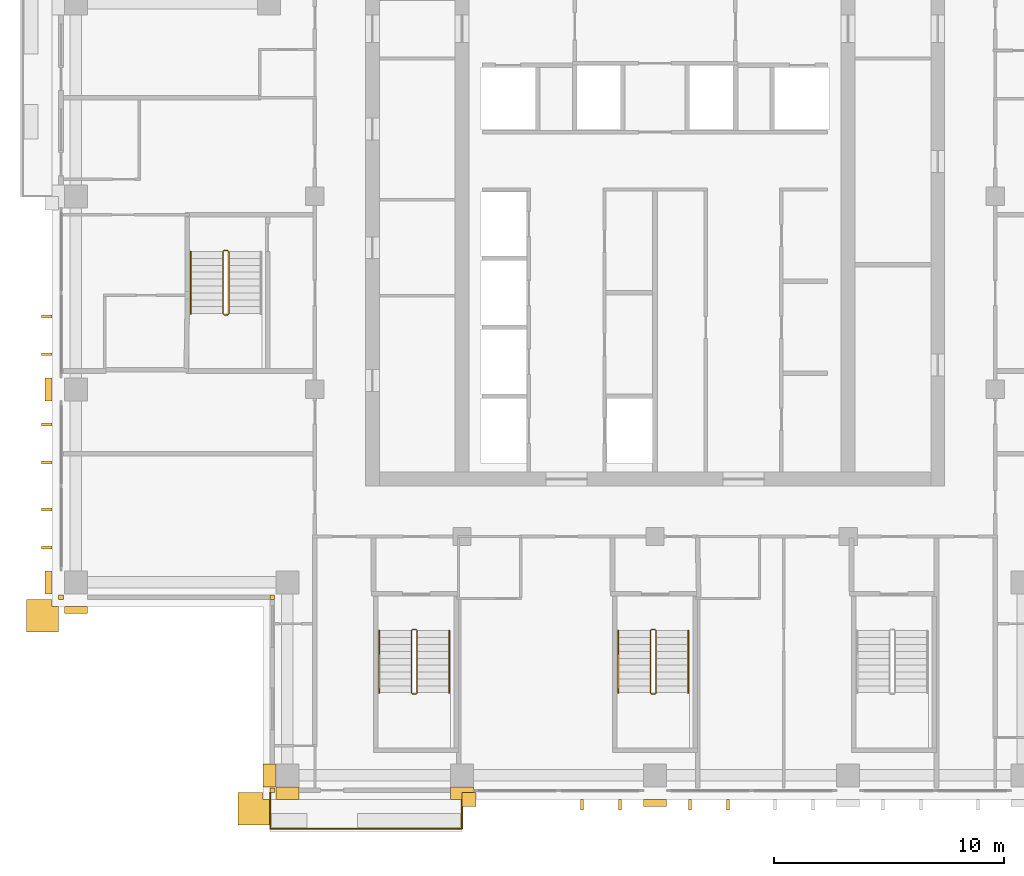
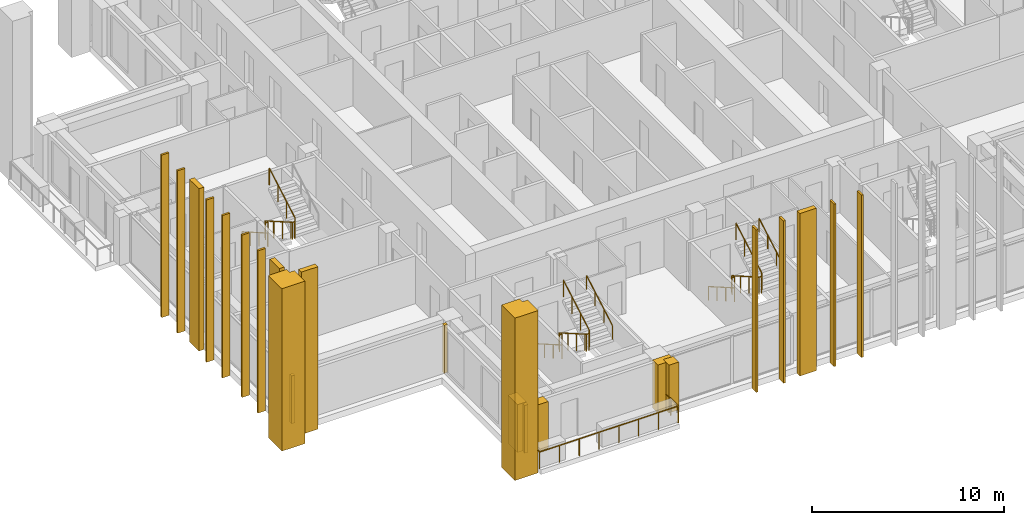
# One storey, part 14 of 17: 23 coverings, 9 railings.
"""IFC4 building model written with IfcOpenShell, lengths in metres."""

from ifc_helpers import new_model, si_unit, direction, frame, origin, origin_2d, place, context, subcontext, project, spatial, polyline, rectangle, outline, extrude, material, layer, layer_set, type_object, element, save


model = new_model("IFC4")

# Units and contexts
model_context = context("Model", 3, precision=1e-05, world=origin(), true_north=direction((0.0, 1.0)))
body_context = subcontext(model_context, "Body", "Model", "MODEL_VIEW")
ifc_project = project(units=[si_unit("LENGTHUNIT", "METRE"), si_unit("AREAUNIT", "SQUARE_METRE"), si_unit("VOLUMEUNIT", "CUBIC_METRE"), si_unit("PLANEANGLEUNIT", "RADIAN"), si_unit("MASSUNIT", "GRAM", prefix="KILO")], contexts=[model_context])

# Site, building, storey
site_placement = place(None, origin())
site = spatial("IfcSite", under=ifc_project, at=site_placement, CompositionType="ELEMENT")
building_placement = place(site_placement, origin())
building = spatial("IfcBuilding", under=site, at=building_placement, Name="Vermilion Ogive Tower", CompositionType="ELEMENT")
storey_placement = place(building_placement, frame((0.0, 0.0, 175.550048828125)))
storey = spatial("IfcBuildingStorey", under=building, at=storey_placement, Name="L45", CompositionType="ELEMENT", Elevation=175.550048828125)

# Railing
ifc_material_1 = material(Name="Stainless steel and glass", Category="steel")
railing_type_1 = type_object("IfcRailingType", Name="Balcony guard", PredefinedType="GUARDRAIL", material=ifc_material_1)
railing_1_placement = place(storey_placement, frame((-16.75, -21.75, -0.0400390625)))
element("IfcRailing", 1, at=railing_1_placement, inside=storey, type_object=railing_type_1, Name="Guard S01", PredefinedType="GUARDRAIL", context=body_context, shape_type="SweptSolid", body=[
    extrude(rectangle(XDim=0.048095703125, YDim=0.048095703125, at=origin_2d()), frame((0.0, 0.0, 1.076171875), z_axis=(0.0, -1.0, 0.0), x_axis=(1.0, 0.0, 0.0)), (0.0, 0.0, 1.0), 1.56396484375),
    extrude(rectangle(XDim=0.048095703125, YDim=0.048095703125, at=origin_2d()), frame((0.0, -1.56396484375, 1.076171875), z_axis=(1.0, 0.0, 0.0), x_axis=(0.0, 1.0, 0.0)), (0.0, 0.0, 1.0), 8.35009765625),
    extrude(rectangle(XDim=0.048095703125, YDim=0.048095703125, at=origin_2d()), frame((8.35009765625, -1.56396484375, 1.076171875), z_axis=(0.0, 1.0, 0.0), x_axis=(-1.0, 0.0, 0.0)), (0.0, 0.0, 1.0), 1.56396484375),
    extrude(rectangle(XDim=0.0419921875, YDim=0.0419921875, at=origin_2d()), origin(), (0.0, 0.0, 1.0), 1.052001953125),
    extrude(rectangle(XDim=0.0419921875, YDim=0.0419921875, at=origin_2d()), frame((0.0, -0.781982421875, 0.0)), (0.0, 0.0, 1.0), 1.052001953125),
    extrude(rectangle(XDim=0.0419921875, YDim=0.0419921875, at=origin_2d()), frame((0.0, -1.56396484375, 0.0)), (0.0, 0.0, 1.0), 1.052001953125),
    extrude(rectangle(XDim=0.0419921875, YDim=0.0419921875, at=origin_2d()), frame((1.19287109375, -1.56396484375, 0.0)), (0.0, 0.0, 1.0), 1.052001953125),
    extrude(rectangle(XDim=0.0419921875, YDim=0.0419921875, at=origin_2d()), frame((2.3857421875, -1.56396484375, 0.0)), (0.0, 0.0, 1.0), 1.052001953125),
    extrude(rectangle(XDim=0.0419921875, YDim=0.0419921875, at=origin_2d()), frame((3.57861328125, -1.56396484375, 0.0)), (0.0, 0.0, 1.0), 1.052001953125),
    extrude(rectangle(XDim=0.0419921875, YDim=0.0419921875, at=origin_2d()), frame((4.771484375, -1.56396484375, 0.0)), (0.0, 0.0, 1.0), 1.052001953125),
    extrude(rectangle(XDim=0.0419921875, YDim=0.0419921875, at=origin_2d()), frame((5.96435546875, -1.56396484375, 0.0)), (0.0, 0.0, 1.0), 1.052001953125),
    extrude(rectangle(XDim=0.0419921875, YDim=0.0419921875, at=origin_2d()), frame((7.1572265625, -1.56396484375, 0.0)), (0.0, 0.0, 1.0), 1.052001953125),
    extrude(rectangle(XDim=0.0419921875, YDim=0.0419921875, at=origin_2d()), frame((8.35009765625, -1.56396484375, 0.0)), (0.0, 0.0, 1.0), 1.052001953125),
    extrude(rectangle(XDim=0.0419921875, YDim=0.0419921875, at=origin_2d()), frame((8.35009765625, -0.781982421875, 0.0)), (0.0, 0.0, 1.0), 1.052001953125),
    extrude(rectangle(XDim=0.0419921875, YDim=0.0419921875, at=origin_2d()), frame((8.35009765625, 0.0, 0.0)), (0.0, 0.0, 1.0), 1.052001953125),
])

# Coverings
ifc_material_2 = material(Name="Glazed ceramic screen")
ifc_layer = layer(ifc_material_2, 0.14990234375)
ifc_layer_set = layer_set([ifc_layer], Name="Ceramic solar screen fin")
covering_type_1 = type_object("IfcCoveringType", Name="Ceramic solar screen fin", PredefinedType="CLADDING", material=ifc_layer_set)
covering_1_placement = place(storey_placement, frame((0.0, 0.0, -0.400146484375)))
element("IfcCovering", 2, at=covering_1_placement, inside=storey, type_object=covering_type_1, Name="Solar screen blade S991", PredefinedType="CLADDING", context=body_context, shape_type="SweptSolid", body=[
    extrude(outline(polyline([(-3.235107421875, -22.5), (-3.114990234375, -22.5), (-3.114990234375, -22.050048828125), (-3.235107421875, -22.050048828125), (-3.235107421875, -22.5)])), origin(), (0.0, 0.0, 1.0), 10.35009765625),
])
covering_2_placement = place(storey_placement, frame((0.0, 0.0, -0.400146484375)))
element("IfcCovering", 3, at=covering_2_placement, inside=storey, type_object=covering_type_1, Name="Solar screen blade S992", PredefinedType="CLADDING", context=body_context, shape_type="SweptSolid", body=[
    extrude(outline(polyline([(-1.5849609375, -22.5), (-1.465087890625, -22.5), (-1.465087890625, -22.050048828125), (-1.5849609375, -22.050048828125), (-1.5849609375, -22.5)])), origin(), (0.0, 0.0, 1.0), 10.35009765625),
])
covering_3_placement = place(storey_placement, frame((0.0, 0.0, -0.400146484375)))
element("IfcCovering", 4, at=covering_3_placement, inside=storey, type_object=covering_type_1, Name="Solar screen blade S001", PredefinedType="CLADDING", context=body_context, shape_type="SweptSolid", body=[
    extrude(outline(polyline([(1.465087890625, -22.5), (1.5849609375, -22.5), (1.5849609375, -22.050048828125), (1.465087890625, -22.050048828125), (1.465087890625, -22.5)])), origin(), (0.0, 0.0, 1.0), 10.35009765625),
])
covering_4_placement = place(storey_placement, frame((0.0, 0.0, -0.400146484375)))
element("IfcCovering", 5, at=covering_4_placement, inside=storey, type_object=covering_type_1, Name="Solar screen blade S002", PredefinedType="CLADDING", context=body_context, shape_type="SweptSolid", body=[
    extrude(outline(polyline([(3.114990234375, -22.5), (3.235107421875, -22.5), (3.235107421875, -22.050048828125), (3.114990234375, -22.050048828125), (3.114990234375, -22.5)])), origin(), (0.0, 0.0, 1.0), 10.35009765625),
])
covering_5_placement = place(storey_placement, frame((0.0, 0.0, -0.400146484375)))
element("IfcCovering", 6, at=covering_5_placement, inside=storey, type_object=covering_type_1, Name="Solar screen blade W991", PredefinedType="CLADDING", context=body_context, shape_type="SweptSolid", body=[
    extrude(outline(polyline([(-26.699951171875, -0.965087890625), (-26.699951171875, -1.0849609375), (-26.25, -1.0849609375), (-26.25, -0.965087890625), (-26.699951171875, -0.965087890625)])), origin(), (0.0, 0.0, 1.0), 10.35009765625),
])
covering_6_placement = place(storey_placement, frame((0.0, 0.0, -0.400146484375)))
element("IfcCovering", 7, at=covering_6_placement, inside=storey, type_object=covering_type_1, Name="Solar screen blade W992", PredefinedType="CLADDING", context=body_context, shape_type="SweptSolid", body=[
    extrude(outline(polyline([(-26.699951171875, -2.614990234375), (-26.699951171875, -2.735107421875), (-26.25, -2.735107421875), (-26.25, -2.614990234375), (-26.699951171875, -2.614990234375)])), origin(), (0.0, 0.0, 1.0), 10.35009765625),
])
covering_7_placement = place(storey_placement, frame((0.0, 0.0, -0.400146484375)))
element("IfcCovering", 8, at=covering_7_placement, inside=storey, type_object=covering_type_1, Name="Solar screen blade W971", PredefinedType="CLADDING", context=body_context, shape_type="SweptSolid", body=[
    extrude(outline(polyline([(-26.699951171875, -9.364990234375), (-26.699951171875, -9.485107421875), (-26.25, -9.485107421875), (-26.25, -9.364990234375), (-26.699951171875, -9.364990234375)])), origin(), (0.0, 0.0, 1.0), 10.35009765625),
])
covering_8_placement = place(storey_placement, frame((0.0, 0.0, -0.400146484375)))
element("IfcCovering", 9, at=covering_8_placement, inside=storey, type_object=covering_type_1, Name="Solar screen blade W972", PredefinedType="CLADDING", context=body_context, shape_type="SweptSolid", body=[
    extrude(outline(polyline([(-26.699951171875, -11.014892578125), (-26.699951171875, -11.135009765625), (-26.25, -11.135009765625), (-26.25, -11.014892578125), (-26.699951171875, -11.014892578125)])), origin(), (0.0, 0.0, 1.0), 10.35009765625),
])
covering_9_placement = place(storey_placement, frame((0.0, 0.0, -0.400146484375)))
element("IfcCovering", 10, at=covering_9_placement, inside=storey, type_object=covering_type_1, Name="Solar screen blade W981", PredefinedType="CLADDING", context=body_context, shape_type="SweptSolid", body=[
    extrude(outline(polyline([(-26.699951171875, -5.6650390625), (-26.699951171875, -5.784912109375), (-26.25, -5.784912109375), (-26.25, -5.6650390625), (-26.699951171875, -5.6650390625)])), origin(), (0.0, 0.0, 1.0), 10.35009765625),
])
covering_10_placement = place(storey_placement, frame((0.0, 0.0, -0.400146484375)))
element("IfcCovering", 11, at=covering_10_placement, inside=storey, type_object=covering_type_1, Name="Solar screen blade W982", PredefinedType="CLADDING", context=body_context, shape_type="SweptSolid", body=[
    extrude(outline(polyline([(-26.699951171875, -7.31494140625), (-26.699951171875, -7.43505859375), (-26.25, -7.43505859375), (-26.25, -7.31494140625), (-26.699951171875, -7.31494140625)])), origin(), (0.0, 0.0, 1.0), 10.35009765625),
])

# Railings
ifc_material_3 = material(Name="Steel S355 painted", Category="steel")
railing_type_2 = type_object("IfcRailingType", Name="Stair guard 1100", PredefinedType="GUARDRAIL", material=ifc_material_3)
railing_2_placement = place(storey_placement, frame((-10.39990234375, -14.64990234375, 0.0)))
element("IfcRailing", 12, at=railing_2_placement, inside=storey, type_object=railing_type_2, Name="L45 ST3 stair guard 4", PredefinedType="GUARDRAIL", context=body_context, shape_type="SweptSolid", body=[
    extrude(rectangle(XDim=0.048095703125, YDim=0.048095703125, at=origin_2d()), frame((0.0, 0.0, 1.076171875), z_axis=(-1.0, 0.0, 0.0), x_axis=(0.0, -1.0, 0.0)), (0.0, 0.0, 1.0), 0.150146484375),
    extrude(rectangle(XDim=0.048095703125, YDim=0.048095703125, at=origin_2d()), frame((-0.150146484375, 0.0, 1.076171875), z_axis=(-0.268603158521, -0.268603158521, 0.925043072762), x_axis=(0.707106781187, -0.707106781187, 0.0)), (0.0, 0.0, 1.0), 0.186279296875),
    extrude(rectangle(XDim=0.048095703125, YDim=0.048095703125, at=origin_2d()), frame((-0.2001953125, -0.050048828125, 1.24853515625), z_axis=(0.0, -0.866903762492, 0.498475542607), x_axis=(1.0, 0.0, 0.0)), (0.0, 0.0, 1.0), 3.114501953125),
    extrude(rectangle(XDim=0.048095703125, YDim=0.048095703125, at=origin_2d()), frame((-0.2001953125, -2.75, 2.80078125), z_axis=(0.707106781187, -0.707106781187, 0.0), x_axis=(0.707106781187, 0.707106781187, 0.0)), (0.0, 0.0, 1.0), 0.07080078125),
    extrude(rectangle(XDim=0.048095703125, YDim=0.048095703125, at=origin_2d()), frame((-0.150146484375, -2.800048828125, 2.80078125), z_axis=(1.0, 0.0, 0.0), x_axis=(0.0, 1.0, 0.0)), (0.0, 0.0, 1.0), 0.150146484375),
    extrude(rectangle(XDim=0.048095703125, YDim=0.048095703125, at=origin_2d()), frame((0.0, -2.800048828125, 2.80078125), z_axis=(0.267062837333, 0.268371968888, 0.925556009775), x_axis=(-0.708833529934, 0.705375805398, 0.0)), (0.0, 0.0, 1.0), 0.1865234375),
    extrude(rectangle(XDim=0.048095703125, YDim=0.048095703125, at=origin_2d()), frame((0.0498046875, -2.75, 2.9736328125), z_axis=(0.0, 0.866903762492, 0.498475542607), x_axis=(-1.0, 0.0, 0.0)), (0.0, 0.0, 1.0), 3.114501953125),
    extrude(rectangle(XDim=0.0419921875, YDim=0.0419921875, at=origin_2d()), origin(), (0.0, 0.0, 1.0), 1.052001953125),
    extrude(rectangle(XDim=0.0419921875, YDim=0.0419921875, at=origin_2d()), frame((-0.150146484375, 0.0, 0.0)), (0.0, 0.0, 1.0), 1.052001953125),
    extrude(rectangle(XDim=0.0419921875, YDim=0.0419921875, at=origin_2d()), frame((-0.2001953125, -0.050048828125, 0.17236328125)), (0.0, 0.0, 1.0), 1.052001953125),
    extrude(rectangle(XDim=0.0419921875, YDim=0.0419921875, at=origin_2d()), frame((-0.2001953125, -0.949951171875, 0.68994140625)), (0.0, 0.0, 1.0), 1.052001953125),
    extrude(rectangle(XDim=0.0419921875, YDim=0.0419921875, at=origin_2d()), frame((-0.2001953125, -1.85009765625, 1.207275390625)), (0.0, 0.0, 1.0), 1.052001953125),
    extrude(rectangle(XDim=0.0419921875, YDim=0.0419921875, at=origin_2d()), frame((-0.2001953125, -2.75, 1.724853515625)), (0.0, 0.0, 1.0), 1.052001953125),
    extrude(rectangle(XDim=0.0419921875, YDim=0.0419921875, at=origin_2d()), frame((-0.150146484375, -2.800048828125, 1.724853515625)), (0.0, 0.0, 1.0), 1.052001953125),
    extrude(rectangle(XDim=0.0419921875, YDim=0.0419921875, at=origin_2d()), frame((0.0, -2.800048828125, 1.724853515625)), (0.0, 0.0, 1.0), 1.052001953125),
    extrude(rectangle(XDim=0.0419921875, YDim=0.0419921875, at=origin_2d()), frame((0.0498046875, -2.75, 1.8974609375)), (0.0, 0.0, 1.0), 1.052001953125),
    extrude(rectangle(XDim=0.0419921875, YDim=0.0419921875, at=origin_2d()), frame((0.0498046875, -1.85009765625, 2.4150390625)), (0.0, 0.0, 1.0), 1.052001953125),
    extrude(rectangle(XDim=0.0419921875, YDim=0.0419921875, at=origin_2d()), frame((0.0498046875, -0.949951171875, 2.932373046875)), (0.0, 0.0, 1.0), 1.052001953125),
    extrude(rectangle(XDim=0.0419921875, YDim=0.0419921875, at=origin_2d()), frame((0.0498046875, -0.050048828125, 3.449951171875)), (0.0, 0.0, 1.0), 1.052001953125),
])
railing_3_placement = place(storey_placement, frame((0.0, -14.64990234375, 0.0)))
element("IfcRailing", 13, at=railing_3_placement, inside=storey, type_object=railing_type_2, Name="L45 ST4 stair guard 4", PredefinedType="GUARDRAIL", context=body_context, shape_type="SweptSolid", body=[
    extrude(rectangle(XDim=0.048095703125, YDim=0.048095703125, at=origin_2d()), frame((0.0, 0.0, 1.076171875), z_axis=(-1.0, 0.0, 0.0), x_axis=(0.0, -1.0, 0.0)), (0.0, 0.0, 1.0), 0.14990234375),
    extrude(rectangle(XDim=0.048095703125, YDim=0.048095703125, at=origin_2d()), frame((-0.14990234375, 0.0, 1.076171875), z_axis=(-0.268603158521, -0.268603158521, 0.925043072762), x_axis=(0.707106781187, -0.707106781187, 0.0)), (0.0, 0.0, 1.0), 0.186279296875),
    extrude(rectangle(XDim=0.048095703125, YDim=0.048095703125, at=origin_2d()), frame((-0.199951171875, -0.050048828125, 1.24853515625), z_axis=(0.0, -0.866903762492, 0.498475542607), x_axis=(1.0, 0.0, 0.0)), (0.0, 0.0, 1.0), 3.114501953125),
    extrude(rectangle(XDim=0.048095703125, YDim=0.048095703125, at=origin_2d()), frame((-0.199951171875, -2.75, 2.80078125), z_axis=(0.707106781187, -0.707106781187, 0.0), x_axis=(0.707106781187, 0.707106781187, 0.0)), (0.0, 0.0, 1.0), 0.07080078125),
    extrude(rectangle(XDim=0.048095703125, YDim=0.048095703125, at=origin_2d()), frame((-0.14990234375, -2.800048828125, 2.80078125), z_axis=(1.0, 0.0, 0.0), x_axis=(0.0, 1.0, 0.0)), (0.0, 0.0, 1.0), 0.14990234375),
    extrude(rectangle(XDim=0.048095703125, YDim=0.048095703125, at=origin_2d()), frame((0.0, -2.800048828125, 2.80078125), z_axis=(0.268277960024, 0.268277960024, 0.925231793839), x_axis=(-0.707106781187, 0.707106781187, 0.0)), (0.0, 0.0, 1.0), 0.1865234375),
    extrude(rectangle(XDim=0.048095703125, YDim=0.048095703125, at=origin_2d()), frame((0.050048828125, -2.75, 2.9736328125), z_axis=(0.0, 0.866903762492, 0.498475542607), x_axis=(-1.0, 0.0, 0.0)), (0.0, 0.0, 1.0), 3.114501953125),
    extrude(rectangle(XDim=0.0419921875, YDim=0.0419921875, at=origin_2d()), origin(), (0.0, 0.0, 1.0), 1.052001953125),
    extrude(rectangle(XDim=0.0419921875, YDim=0.0419921875, at=origin_2d()), frame((-0.14990234375, 0.0, 0.0)), (0.0, 0.0, 1.0), 1.052001953125),
    extrude(rectangle(XDim=0.0419921875, YDim=0.0419921875, at=origin_2d()), frame((-0.199951171875, -0.050048828125, 0.17236328125)), (0.0, 0.0, 1.0), 1.052001953125),
    extrude(rectangle(XDim=0.0419921875, YDim=0.0419921875, at=origin_2d()), frame((-0.199951171875, -0.949951171875, 0.68994140625)), (0.0, 0.0, 1.0), 1.052001953125),
    extrude(rectangle(XDim=0.0419921875, YDim=0.0419921875, at=origin_2d()), frame((-0.199951171875, -1.85009765625, 1.207275390625)), (0.0, 0.0, 1.0), 1.052001953125),
    extrude(rectangle(XDim=0.0419921875, YDim=0.0419921875, at=origin_2d()), frame((-0.199951171875, -2.75, 1.724853515625)), (0.0, 0.0, 1.0), 1.052001953125),
    extrude(rectangle(XDim=0.0419921875, YDim=0.0419921875, at=origin_2d()), frame((-0.14990234375, -2.800048828125, 1.724853515625)), (0.0, 0.0, 1.0), 1.052001953125),
    extrude(rectangle(XDim=0.0419921875, YDim=0.0419921875, at=origin_2d()), frame((0.0, -2.800048828125, 1.724853515625)), (0.0, 0.0, 1.0), 1.052001953125),
    extrude(rectangle(XDim=0.0419921875, YDim=0.0419921875, at=origin_2d()), frame((0.050048828125, -2.75, 1.8974609375)), (0.0, 0.0, 1.0), 1.052001953125),
    extrude(rectangle(XDim=0.0419921875, YDim=0.0419921875, at=origin_2d()), frame((0.050048828125, -1.85009765625, 2.4150390625)), (0.0, 0.0, 1.0), 1.052001953125),
    extrude(rectangle(XDim=0.0419921875, YDim=0.0419921875, at=origin_2d()), frame((0.050048828125, -0.949951171875, 2.932373046875)), (0.0, 0.0, 1.0), 1.052001953125),
    extrude(rectangle(XDim=0.0419921875, YDim=0.0419921875, at=origin_2d()), frame((0.050048828125, -0.050048828125, 3.449951171875)), (0.0, 0.0, 1.0), 1.052001953125),
])
railing_4_placement = place(storey_placement, frame((-18.60009765625, 1.85009765625, 0.0)))
element("IfcRailing", 14, at=railing_4_placement, inside=storey, type_object=railing_type_2, Name="L45 ST9 stair guard 4", PredefinedType="GUARDRAIL", context=body_context, shape_type="SweptSolid", body=[
    extrude(rectangle(XDim=0.048095703125, YDim=0.048095703125, at=origin_2d()), frame((0.0, 0.0, 1.076171875), z_axis=(-1.0, 0.0, 0.0), x_axis=(0.0, -1.0, 0.0)), (0.0, 0.0, 1.0), 0.14990234375),
    extrude(rectangle(XDim=0.048095703125, YDim=0.048095703125, at=origin_2d()), frame((-0.14990234375, 0.0, 1.076171875), z_axis=(-0.268603158521, -0.268603158521, 0.925043072762), x_axis=(0.707106781187, -0.707106781187, 0.0)), (0.0, 0.0, 1.0), 0.186279296875),
    extrude(rectangle(XDim=0.048095703125, YDim=0.048095703125, at=origin_2d()), frame((-0.199951171875, -0.050048828125, 1.24853515625), z_axis=(0.0, -0.866903762492, 0.498475542607), x_axis=(1.0, 0.0, 0.0)), (0.0, 0.0, 1.0), 3.114501953125),
    extrude(rectangle(XDim=0.048095703125, YDim=0.048095703125, at=origin_2d()), frame((-0.199951171875, -2.75, 2.80078125), z_axis=(0.707106781187, -0.707106781187, 0.0), x_axis=(0.707106781187, 0.707106781187, 0.0)), (0.0, 0.0, 1.0), 0.07080078125),
    extrude(rectangle(XDim=0.048095703125, YDim=0.048095703125, at=origin_2d()), frame((-0.14990234375, -2.800048828125, 2.80078125), z_axis=(1.0, 0.0, 0.0), x_axis=(0.0, 1.0, 0.0)), (0.0, 0.0, 1.0), 0.14990234375),
    extrude(rectangle(XDim=0.048095703125, YDim=0.048095703125, at=origin_2d()), frame((0.0, -2.800048828125, 2.80078125), z_axis=(0.268277960024, 0.268277960024, 0.925231793839), x_axis=(-0.707106781187, 0.707106781187, 0.0)), (0.0, 0.0, 1.0), 0.1865234375),
    extrude(rectangle(XDim=0.048095703125, YDim=0.048095703125, at=origin_2d()), frame((0.050048828125, -2.75, 2.9736328125), z_axis=(0.0, 0.866903762492, 0.498475542607), x_axis=(-1.0, 0.0, 0.0)), (0.0, 0.0, 1.0), 3.114501953125),
    extrude(rectangle(XDim=0.0419921875, YDim=0.0419921875, at=origin_2d()), origin(), (0.0, 0.0, 1.0), 1.052001953125),
    extrude(rectangle(XDim=0.0419921875, YDim=0.0419921875, at=origin_2d()), frame((-0.14990234375, 0.0, 0.0)), (0.0, 0.0, 1.0), 1.052001953125),
    extrude(rectangle(XDim=0.0419921875, YDim=0.0419921875, at=origin_2d()), frame((-0.199951171875, -0.050048828125, 0.17236328125)), (0.0, 0.0, 1.0), 1.052001953125),
    extrude(rectangle(XDim=0.0419921875, YDim=0.0419921875, at=origin_2d()), frame((-0.199951171875, -0.949951171875, 0.68994140625)), (0.0, 0.0, 1.0), 1.052001953125),
    extrude(rectangle(XDim=0.0419921875, YDim=0.0419921875, at=origin_2d()), frame((-0.199951171875, -1.85009765625, 1.207275390625)), (0.0, 0.0, 1.0), 1.052001953125),
    extrude(rectangle(XDim=0.0419921875, YDim=0.0419921875, at=origin_2d()), frame((-0.199951171875, -2.75, 1.724853515625)), (0.0, 0.0, 1.0), 1.052001953125),
    extrude(rectangle(XDim=0.0419921875, YDim=0.0419921875, at=origin_2d()), frame((-0.14990234375, -2.800048828125, 1.724853515625)), (0.0, 0.0, 1.0), 1.052001953125),
    extrude(rectangle(XDim=0.0419921875, YDim=0.0419921875, at=origin_2d()), frame((0.0, -2.800048828125, 1.724853515625)), (0.0, 0.0, 1.0), 1.052001953125),
    extrude(rectangle(XDim=0.0419921875, YDim=0.0419921875, at=origin_2d()), frame((0.050048828125, -2.75, 1.8974609375)), (0.0, 0.0, 1.0), 1.052001953125),
    extrude(rectangle(XDim=0.0419921875, YDim=0.0419921875, at=origin_2d()), frame((0.050048828125, -1.85009765625, 2.4150390625)), (0.0, 0.0, 1.0), 1.052001953125),
    extrude(rectangle(XDim=0.0419921875, YDim=0.0419921875, at=origin_2d()), frame((0.050048828125, -0.949951171875, 2.932373046875)), (0.0, 0.0, 1.0), 1.052001953125),
    extrude(rectangle(XDim=0.0419921875, YDim=0.0419921875, at=origin_2d()), frame((0.050048828125, -0.050048828125, 3.449951171875)), (0.0, 0.0, 1.0), 1.052001953125),
])
ifc_material_4 = material(Name="Stainless steel", Category="steel")
railing_type_3 = type_object("IfcRailingType", Name="Stair handrail 900", PredefinedType="HANDRAIL", material=ifc_material_4)
railing_5_placement = place(storey_placement, frame((-12.0, -14.699951171875, 0.17236328125)))
element("IfcRailing", 15, at=railing_5_placement, inside=storey, type_object=railing_type_3, Name="L45 ST3 stair handrail 1", PredefinedType="HANDRAIL", context=body_context, shape_type="SweptSolid", body=[
    extrude(rectangle(XDim=0.048095703125, YDim=0.048095703125, at=origin_2d()), frame((0.0, 0.0, 0.8759765625), z_axis=(0.0, -0.866903762492, 0.498475542607), x_axis=(1.0, 0.0, 0.0)), (0.0, 0.0, 1.0), 3.114501953125),
    extrude(rectangle(XDim=0.0419921875, YDim=0.0419921875, at=origin_2d()), origin(), (0.0, 0.0, 1.0), 0.851806640625),
    extrude(rectangle(XDim=0.0419921875, YDim=0.0419921875, at=origin_2d()), frame((0.0, -0.89990234375, 0.517578125)), (0.0, 0.0, 1.0), 0.851806640625),
    extrude(rectangle(XDim=0.0419921875, YDim=0.0419921875, at=origin_2d()), frame((0.0, -1.800048828125, 1.034912109375)), (0.0, 0.0, 1.0), 0.851806640625),
    extrude(rectangle(XDim=0.0419921875, YDim=0.0419921875, at=origin_2d()), frame((0.0, -2.699951171875, 1.552490234375)), (0.0, 0.0, 1.0), 0.851806640625),
])
railing_6_placement = place(storey_placement, frame((-8.949951171875, -17.39990234375, 1.8974609375)))
element("IfcRailing", 16, at=railing_6_placement, inside=storey, type_object=railing_type_3, Name="L45 ST3 stair handrail 2", PredefinedType="HANDRAIL", context=body_context, shape_type="SweptSolid", body=[
    extrude(rectangle(XDim=0.048095703125, YDim=0.048095703125, at=origin_2d()), frame((0.0, 0.0, 0.8759765625), z_axis=(0.0, 0.866903762492, 0.498475542607), x_axis=(-1.0, 0.0, 0.0)), (0.0, 0.0, 1.0), 3.114501953125),
    extrude(rectangle(XDim=0.0419921875, YDim=0.0419921875, at=origin_2d()), origin(), (0.0, 0.0, 1.0), 0.851806640625),
    extrude(rectangle(XDim=0.0419921875, YDim=0.0419921875, at=origin_2d()), frame((0.0, 0.89990234375, 0.517578125)), (0.0, 0.0, 1.0), 0.851806640625),
    extrude(rectangle(XDim=0.0419921875, YDim=0.0419921875, at=origin_2d()), frame((0.0, 1.800048828125, 1.034912109375)), (0.0, 0.0, 1.0), 0.851806640625),
    extrude(rectangle(XDim=0.0419921875, YDim=0.0419921875, at=origin_2d()), frame((0.0, 2.699951171875, 1.552490234375)), (0.0, 0.0, 1.0), 0.851806640625),
])
railing_7_placement = place(storey_placement, frame((-1.60009765625, -14.699951171875, 0.17236328125)))
element("IfcRailing", 17, at=railing_7_placement, inside=storey, type_object=railing_type_3, Name="L45 ST4 stair handrail 1", PredefinedType="HANDRAIL", context=body_context, shape_type="SweptSolid", body=[
    extrude(rectangle(XDim=0.048095703125, YDim=0.048095703125, at=origin_2d()), frame((0.0, 0.0, 0.8759765625), z_axis=(0.0, -0.866903762492, 0.498475542607), x_axis=(1.0, 0.0, 0.0)), (0.0, 0.0, 1.0), 3.114501953125),
    extrude(rectangle(XDim=0.0419921875, YDim=0.0419921875, at=origin_2d()), origin(), (0.0, 0.0, 1.0), 0.851806640625),
    extrude(rectangle(XDim=0.0419921875, YDim=0.0419921875, at=origin_2d()), frame((0.0, -0.89990234375, 0.517578125)), (0.0, 0.0, 1.0), 0.851806640625),
    extrude(rectangle(XDim=0.0419921875, YDim=0.0419921875, at=origin_2d()), frame((0.0, -1.800048828125, 1.034912109375)), (0.0, 0.0, 1.0), 0.851806640625),
    extrude(rectangle(XDim=0.0419921875, YDim=0.0419921875, at=origin_2d()), frame((0.0, -2.699951171875, 1.552490234375)), (0.0, 0.0, 1.0), 0.851806640625),
])
railing_8_placement = place(storey_placement, frame((1.449951171875, -17.39990234375, 1.8974609375)))
element("IfcRailing", 18, at=railing_8_placement, inside=storey, type_object=railing_type_3, Name="L45 ST4 stair handrail 2", PredefinedType="HANDRAIL", context=body_context, shape_type="SweptSolid", body=[
    extrude(rectangle(XDim=0.048095703125, YDim=0.048095703125, at=origin_2d()), frame((0.0, 0.0, 0.8759765625), z_axis=(0.0, 0.866903762492, 0.498475542607), x_axis=(-1.0, 0.0, 0.0)), (0.0, 0.0, 1.0), 3.114501953125),
    extrude(rectangle(XDim=0.0419921875, YDim=0.0419921875, at=origin_2d()), origin(), (0.0, 0.0, 1.0), 0.851806640625),
    extrude(rectangle(XDim=0.0419921875, YDim=0.0419921875, at=origin_2d()), frame((0.0, 0.89990234375, 0.517578125)), (0.0, 0.0, 1.0), 0.851806640625),
    extrude(rectangle(XDim=0.0419921875, YDim=0.0419921875, at=origin_2d()), frame((0.0, 1.800048828125, 1.034912109375)), (0.0, 0.0, 1.0), 0.851806640625),
    extrude(rectangle(XDim=0.0419921875, YDim=0.0419921875, at=origin_2d()), frame((0.0, 2.699951171875, 1.552490234375)), (0.0, 0.0, 1.0), 0.851806640625),
])
railing_9_placement = place(storey_placement, frame((-20.199951171875, 1.800048828125, 0.17236328125)))
element("IfcRailing", 19, at=railing_9_placement, inside=storey, type_object=railing_type_3, Name="L45 ST9 stair handrail 1", PredefinedType="HANDRAIL", context=body_context, shape_type="SweptSolid", body=[
    extrude(rectangle(XDim=0.048095703125, YDim=0.048095703125, at=origin_2d()), frame((0.0, 0.0, 0.8759765625), z_axis=(0.0, -0.866903762492, 0.498475542607), x_axis=(1.0, 0.0, 0.0)), (0.0, 0.0, 1.0), 3.114501953125),
    extrude(rectangle(XDim=0.0419921875, YDim=0.0419921875, at=origin_2d()), origin(), (0.0, 0.0, 1.0), 0.851806640625),
    extrude(rectangle(XDim=0.0419921875, YDim=0.0419921875, at=origin_2d()), frame((0.0, -0.89990234375, 0.517578125)), (0.0, 0.0, 1.0), 0.851806640625),
    extrude(rectangle(XDim=0.0419921875, YDim=0.0419921875, at=origin_2d()), frame((0.0, -1.800048828125, 1.034912109375)), (0.0, 0.0, 1.0), 0.851806640625),
    extrude(rectangle(XDim=0.0419921875, YDim=0.0419921875, at=origin_2d()), frame((0.0, -2.699951171875, 1.552490234375)), (0.0, 0.0, 1.0), 0.851806640625),
])

# Coverings
ifc_material_5 = material(Name="Stone cladding", Category="masonry")
covering_type_2 = type_object("IfcCoveringType", Name="Stone corner buttress", PredefinedType="CLADDING", material=ifc_material_5)
covering_11_placement = place(storey_placement, origin())
element("IfcCovering", 20, at=covering_11_placement, inside=storey, type_object=covering_type_2, Name="Stone crease pier SK", PredefinedType="CLADDING", context=body_context, shape_type="SweptSolid", body=[
    extrude(outline(polyline([(-8.39990234375, -22.35009765625), (-7.800048828125, -22.35009765625), (-7.800048828125, -21.75), (-8.39990234375, -21.75), (-8.39990234375, -22.35009765625)])), origin(), (0.0, 0.0, 1.0), 3.050048828125),
])
covering_12_placement = place(storey_placement, frame((0.0, 0.0, -0.400146484375)))
element("IfcCovering", 21, at=covering_12_placement, inside=storey, type_object=covering_type_2, Name="Stone corner buttress S1", PredefinedType="CLADDING", context=body_context, shape_type="SweptSolid", body=[
    extrude(outline(polyline([(-17.050048828125, -22.050048828125), (-16.75, -22.050048828125), (-16.75, -23.14990234375), (-18.14990234375, -23.14990234375), (-18.14990234375, -21.75), (-17.050048828125, -21.75), (-17.050048828125, -22.050048828125)])), origin(), (0.0, 0.0, 1.0), 10.35009765625),
])
covering_13_placement = place(storey_placement, frame((0.0, 0.0, -0.400146484375)))
element("IfcCovering", 22, at=covering_13_placement, inside=storey, type_object=covering_type_2, Name="Stone corner buttress X71", PredefinedType="CLADDING", context=body_context, shape_type="SweptSolid", body=[
    extrude(outline(polyline([(-26.25, -13.35009765625), (-26.25, -13.64990234375), (-25.949951171875, -13.64990234375), (-25.949951171875, -14.75), (-27.35009765625, -14.75), (-27.35009765625, -13.35009765625), (-26.25, -13.35009765625)])), origin(), (0.0, 0.0, 1.0), 10.35009765625),
])
ifc_material_6 = material(Name="Stone cladding", Category="masonry")
covering_type_3 = type_object("IfcCoveringType", Name="Stone pier", PredefinedType="CLADDING", material=ifc_material_6)
covering_14_placement = place(storey_placement, origin())
element("IfcCovering", 23, at=covering_14_placement, inside=storey, type_object=covering_type_3, Name="Stone corner pier WE1", PredefinedType="CLADDING", context=body_context, shape_type="SweptSolid", body=[
    extrude(outline(polyline([(-25.75, -13.14990234375), (-25.75, -13.35009765625), (-25.949951171875, -13.35009765625), (-25.949951171875, -13.14990234375), (-25.75, -13.14990234375)])), origin(), (0.0, 0.0, 1.0), 3.050048828125),
])
covering_15_placement = place(storey_placement, origin())
element("IfcCovering", 24, at=covering_15_placement, inside=storey, type_object=covering_type_3, Name="Stone corner pier X7E1", PredefinedType="CLADDING", context=body_context, shape_type="SweptSolid", body=[
    extrude(outline(polyline([(-16.550048828125, -13.14990234375), (-16.550048828125, -13.35009765625), (-16.75, -13.35009765625), (-16.75, -13.14990234375), (-16.550048828125, -13.14990234375)])), origin(), (0.0, 0.0, 1.0), 3.050048828125),
])
covering_16_placement = place(storey_placement, origin())
element("IfcCovering", 25, at=covering_16_placement, inside=storey, type_object=covering_type_3, Name="Stone corner pier X8E1", PredefinedType="CLADDING", context=body_context, shape_type="SweptSolid", body=[
    extrude(outline(polyline([(-16.550048828125, -21.550048828125), (-16.550048828125, -21.75), (-16.75, -21.75), (-16.75, -21.550048828125), (-16.550048828125, -21.550048828125)])), origin(), (0.0, 0.0, 1.0), 3.050048828125),
])
covering_17_placement = place(storey_placement, frame((0.0, 0.0, -0.400146484375)))
element("IfcCovering", 26, at=covering_17_placement, inside=storey, type_object=covering_type_3, Name="Stone pier P+0000-210", PredefinedType="CLADDING", context=body_context, shape_type="SweptSolid", body=[
    extrude(outline(polyline([(0.5, -22.35009765625), (-0.5, -22.35009765625), (-0.5, -22.050048828125), (0.5, -22.050048828125), (0.5, -22.35009765625)])), origin(), (0.0, 0.0, 1.0), 10.35009765625),
])
covering_18_placement = place(storey_placement, frame((0.0, 0.0, -0.400146484375)))
element("IfcCovering", 27, at=covering_18_placement, inside=storey, type_object=covering_type_3, Name="Stone pier P-0252-042", PredefinedType="CLADDING", context=body_context, shape_type="SweptSolid", body=[
    extrude(outline(polyline([(-26.550048828125, -4.699951171875), (-26.550048828125, -3.699951171875), (-26.25, -3.699951171875), (-26.25, -4.699951171875), (-26.550048828125, -4.699951171875)])), origin(), (0.0, 0.0, 1.0), 10.35009765625),
])
covering_19_placement = place(storey_placement, frame((0.0, 0.0, -0.400146484375)))
element("IfcCovering", 28, at=covering_19_placement, inside=storey, type_object=covering_type_3, Name="Stone pier P-0252-126W", PredefinedType="CLADDING", context=body_context, shape_type="SweptSolid", body=[
    extrude(outline(polyline([(-26.550048828125, -13.10009765625), (-26.550048828125, -12.10009765625), (-26.25, -12.10009765625), (-26.25, -13.10009765625), (-26.550048828125, -13.10009765625)])), origin(), (0.0, 0.0, 1.0), 10.35009765625),
])
covering_20_placement = place(storey_placement, frame((0.0, 0.0, -0.400146484375)))
element("IfcCovering", 29, at=covering_20_placement, inside=storey, type_object=covering_type_3, Name="Stone pier P-0252-126X7", PredefinedType="CLADDING", context=body_context, shape_type="SweptSolid", body=[
    extrude(outline(polyline([(-25.699951171875, -13.949951171875), (-25.699951171875, -13.64990234375), (-24.699951171875, -13.64990234375), (-24.699951171875, -13.949951171875), (-25.699951171875, -13.949951171875)])), origin(), (0.0, 0.0, 1.0), 10.35009765625),
])
covering_21_placement = place(storey_placement, origin())
element("IfcCovering", 30, at=covering_21_placement, inside=storey, type_object=covering_type_3, Name="Stone pier P-0084-210", PredefinedType="CLADDING", context=body_context, shape_type="SweptSolid", body=[
    extrude(outline(polyline([(-7.89990234375, -21.75), (-8.39990234375, -21.75), (-8.39990234375, -22.050048828125), (-8.89990234375, -22.050048828125), (-8.89990234375, -21.5), (-7.89990234375, -21.5), (-7.89990234375, -21.75)])), origin(), (0.0, 0.0, 1.0), 3.050048828125),
])
covering_22_placement = place(storey_placement, origin())
element("IfcCovering", 31, at=covering_22_placement, inside=storey, type_object=covering_type_3, Name="Stone pier P-0160-210S", PredefinedType="CLADDING", context=body_context, shape_type="SweptSolid", body=[
    extrude(outline(polyline([(-15.5, -22.050048828125), (-16.5, -22.050048828125), (-16.5, -21.5), (-15.5, -21.5), (-15.5, -22.050048828125)])), origin(), (0.0, 0.0, 1.0), 3.050048828125),
])
covering_23_placement = place(storey_placement, origin())
element("IfcCovering", 32, at=covering_23_placement, inside=storey, type_object=covering_type_3, Name="Stone pier P-0160-210X8", PredefinedType="CLADDING", context=body_context, shape_type="SweptSolid", body=[
    extrude(outline(polyline([(-17.050048828125, -20.5), (-16.5, -20.5), (-16.5, -21.5), (-17.050048828125, -21.5), (-17.050048828125, -20.5)])), origin(), (0.0, 0.0, 1.0), 3.050048828125),
])

save(model, "model.ifc")
